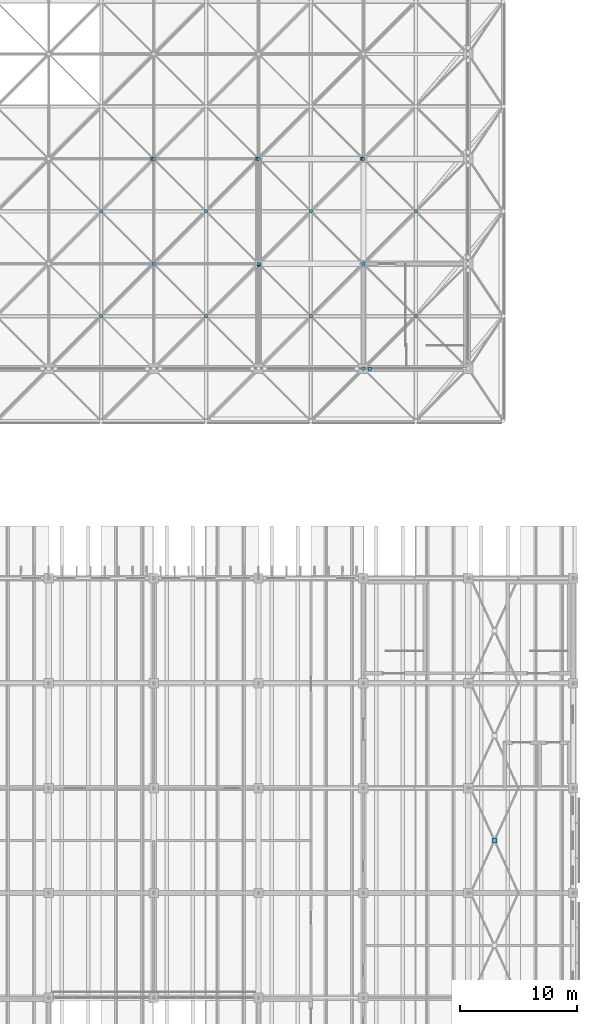
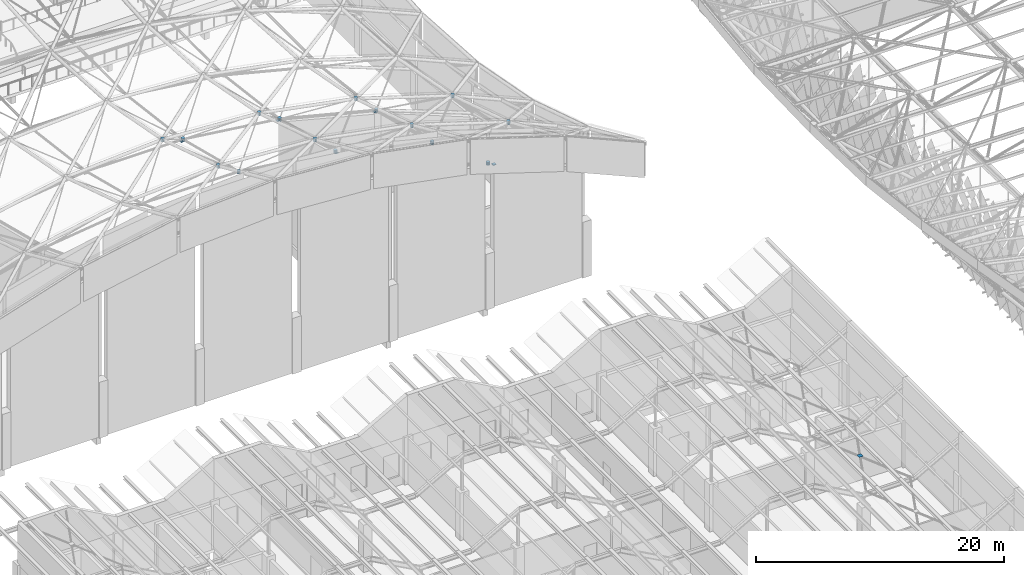
# One storey, part 355 of 437: 21 discrete accessories.
"""IFC4 building model written with IfcOpenShell, lengths in metres."""

from ifc_helpers import new_model, si_unit, direction, frame, origin, origin_2d, place, context, subcontext, project, spatial, polyline, rectangle, outline, extrude, material, layer, layer_set, type_object, element, save


model = new_model("IFC4")

# Units and contexts
model_context = context("Model", 3, precision=1e-05, world=origin(), true_north=direction((0.0, 1.0)))
body_context = subcontext(model_context, "Body", "Model", "MODEL_VIEW")
ifc_project = project(units=[si_unit("LENGTHUNIT", "METRE"), si_unit("AREAUNIT", "SQUARE_METRE"), si_unit("VOLUMEUNIT", "CUBIC_METRE"), si_unit("PLANEANGLEUNIT", "RADIAN"), si_unit("MASSUNIT", "GRAM", prefix="KILO")], contexts=[model_context])

# Site, building, storey
site_placement = place(None, origin())
site = spatial("IfcSite", under=ifc_project, at=site_placement, CompositionType="ELEMENT")
building_placement = place(site_placement, origin())
building = spatial("IfcBuilding", under=site, at=building_placement, Name="Opaline Strait Convention Centre", CompositionType="ELEMENT")
storey_placement = place(building_placement, frame((0.0, 0.0, 11.5)))
storey = spatial("IfcBuildingStorey", under=building, at=storey_placement, Name="L02", CompositionType="ELEMENT", Elevation=11.5)

# Discrete accessories
ifc_material_1 = material(Name="Steel Q355B", Category="steel")
ifc_layer_1 = layer(ifc_material_1, 0.02001953125)
ifc_layer_set_1 = layer_set([ifc_layer_1], Name="Steel Q355B")
discrete_accessory_type_1 = type_object("IfcDiscreteAccessoryType", Name="Cast-in anchor plate 300 x 300 x 20", PredefinedType="ANCHORPLATE", material=ifc_layer_set_1)
for number, where, z_axis, x_axis, name in (
    (1, (44.893798828125, 135.0, 11.682861328125), (0.0, 0.0, 1.0), (1.0, 0.0, 0.0), "Cast-in anchor plate at PWB3 web 5-3ac"),
    (2, (54.0, 125.893798828125, 12.907470703125), (0.0, 0.0, 1.0), (1.0, 0.0, 0.0), "Cast-in anchor plate at PWB3 web 6-2ac"),
    (3, (53.893798828125, 135.0, 10.572509765625), (0.0, 0.0, 1.0), (1.0, 0.0, 0.0), "Cast-in anchor plate at PWB3 web 6-3ac"),
    (4, (63.5498046875, 117.0, 13.816162109375), (0.0, 0.0, 1.0), (1.0, 0.0, 0.0), "Cast-in anchor plate at PWB2 web 7-1bc"),
    (5, (62.893798828125, 135.0, 8.3193359375), (0.0, 0.0, 1.0), (1.0, 0.0, 0.0), "Cast-in anchor plate at PWB2 web 7-3ac"),
):
    element("IfcDiscreteAccessory", number, at=place(storey_placement, frame(where, z_axis=z_axis, x_axis=x_axis)), inside=storey, type_object=discrete_accessory_type_1, Name=name, PredefinedType="ANCHORPLATE", context=body_context, shape_type="SweptSolid", body=[
        extrude(rectangle(XDim=0.300048828125, YDim=0.300048828125, at=origin_2d()), origin(), (0.0, 0.0, 1.0), 0.02001953125),
    ])
ifc_material_2 = material(Name="Cast steel ZG300-500H (300 MPa)", Category="steel")
discrete_accessory_type_2 = type_object("IfcDiscreteAccessoryType", Name="Shell node hub D300 cast steel", PredefinedType="USERDEFINED", material=ifc_material_2)
discrete_accessory_1_placement = place(storey_placement, frame((0.0, 0.0, 13.968505859375)))
element("IfcDiscreteAccessory", 6, at=discrete_accessory_1_placement, inside=storey, type_object=discrete_accessory_type_2, Name="PNH1 node hub B5-2", ObjectType="NODE HUB", PredefinedType="USERDEFINED", context=body_context, shape_type="SweptSolid", body=[
    extrude(outline(polyline([(45.14990234375, 126.02978515625), (45.127197265625, 126.0849609375), (45.0849609375, 126.127197265625), (45.02978515625, 126.14990234375), (44.97021484375, 126.14990234375), (44.9150390625, 126.127197265625), (44.872802734375, 126.0849609375), (44.85009765625, 126.02978515625), (44.85009765625, 125.97021484375), (44.872802734375, 125.9150390625), (44.9150390625, 125.872802734375), (44.97021484375, 125.85009765625), (45.02978515625, 125.85009765625), (45.0849609375, 125.872802734375), (45.127197265625, 125.9150390625), (45.14990234375, 125.97021484375), (45.14990234375, 126.02978515625)])), origin(), (0.0, 0.0, 1.0), 0.31005859375),
])
discrete_accessory_2_placement = place(storey_placement, frame((0.0, 0.0, 11.682861328125)))
element("IfcDiscreteAccessory", 7, at=discrete_accessory_2_placement, inside=storey, type_object=discrete_accessory_type_2, Name="PNH1 node hub B5-3", ObjectType="NODE HUB", PredefinedType="USERDEFINED", context=body_context, shape_type="SweptSolid", body=[
    extrude(outline(polyline([(45.14990234375, 135.02978515625), (45.127197265625, 135.0849609375), (45.0849609375, 135.127197265625), (45.02978515625, 135.14990234375), (44.97021484375, 135.14990234375), (44.9150390625, 135.127197265625), (44.872802734375, 135.0849609375), (44.85009765625, 135.02978515625), (44.85009765625, 134.97021484375), (44.872802734375, 134.9150390625), (44.9150390625, 134.872802734375), (44.97021484375, 134.85009765625), (45.02978515625, 134.85009765625), (45.0849609375, 134.872802734375), (45.127197265625, 134.9150390625), (45.14990234375, 134.97021484375), (45.14990234375, 135.02978515625)])), origin(), (0.0, 0.0, 1.0), 0.31005859375),
])
discrete_accessory_3_placement = place(storey_placement, frame((0.0, 0.0, 12.82568359375)))
element("IfcDiscreteAccessory", 8, at=discrete_accessory_3_placement, inside=storey, type_object=discrete_accessory_type_2, Name="PNH1 node hub B6-2", ObjectType="NODE HUB", PredefinedType="USERDEFINED", context=body_context, shape_type="SweptSolid", body=[
    extrude(outline(polyline([(54.14990234375, 126.02978515625), (54.127197265625, 126.0849609375), (54.0849609375, 126.127197265625), (54.02978515625, 126.14990234375), (53.97021484375, 126.14990234375), (53.9150390625, 126.127197265625), (53.872802734375, 126.0849609375), (53.85009765625, 126.02978515625), (53.85009765625, 125.97021484375), (53.872802734375, 125.9150390625), (53.9150390625, 125.872802734375), (53.97021484375, 125.85009765625), (54.02978515625, 125.85009765625), (54.0849609375, 125.872802734375), (54.127197265625, 125.9150390625), (54.14990234375, 125.97021484375), (54.14990234375, 126.02978515625)])), origin(), (0.0, 0.0, 1.0), 0.31005859375),
])
discrete_accessory_4_placement = place(storey_placement, frame((0.0, 0.0, 10.5400390625)))
element("IfcDiscreteAccessory", 9, at=discrete_accessory_4_placement, inside=storey, type_object=discrete_accessory_type_2, Name="PNH1 node hub B6-3", ObjectType="NODE HUB", PredefinedType="USERDEFINED", context=body_context, shape_type="SweptSolid", body=[
    extrude(outline(polyline([(54.14990234375, 135.02978515625), (54.127197265625, 135.0849609375), (54.0849609375, 135.127197265625), (54.02978515625, 135.14990234375), (53.97021484375, 135.14990234375), (53.9150390625, 135.127197265625), (53.872802734375, 135.0849609375), (53.85009765625, 135.02978515625), (53.85009765625, 134.97021484375), (53.872802734375, 134.9150390625), (53.9150390625, 134.872802734375), (53.97021484375, 134.85009765625), (54.02978515625, 134.85009765625), (54.0849609375, 134.872802734375), (54.127197265625, 134.9150390625), (54.14990234375, 134.97021484375), (54.14990234375, 135.02978515625)])), origin(), (0.0, 0.0, 1.0), 0.31005859375),
])
discrete_accessory_5_placement = place(storey_placement, frame((0.0, 0.0, 13.968505859375)))
element("IfcDiscreteAccessory", 10, at=discrete_accessory_5_placement, inside=storey, type_object=discrete_accessory_type_2, Name="PNH1 node hub B7-1", ObjectType="NODE HUB", PredefinedType="USERDEFINED", context=body_context, shape_type="SweptSolid", body=[
    extrude(outline(polyline([(63.14990234375, 117.02978515625), (63.127197265625, 117.0849609375), (63.0849609375, 117.127197265625), (63.02978515625, 117.14990234375), (62.97021484375, 117.14990234375), (62.9150390625, 117.127197265625), (62.872802734375, 117.0849609375), (62.85009765625, 117.02978515625), (62.85009765625, 116.97021484375), (62.872802734375, 116.9150390625), (62.9150390625, 116.872802734375), (62.97021484375, 116.85009765625), (63.02978515625, 116.85009765625), (63.0849609375, 116.872802734375), (63.127197265625, 116.9150390625), (63.14990234375, 116.97021484375), (63.14990234375, 117.02978515625)])), origin(), (0.0, 0.0, 1.0), 0.31005859375),
])
discrete_accessory_6_placement = place(storey_placement, frame((0.0, 0.0, 10.5400390625)))
element("IfcDiscreteAccessory", 11, at=discrete_accessory_6_placement, inside=storey, type_object=discrete_accessory_type_2, Name="PNH1 node hub B7-2", ObjectType="NODE HUB", PredefinedType="USERDEFINED", context=body_context, shape_type="SweptSolid", body=[
    extrude(outline(polyline([(63.14990234375, 126.02978515625), (63.127197265625, 126.0849609375), (63.0849609375, 126.127197265625), (63.02978515625, 126.14990234375), (62.97021484375, 126.14990234375), (62.9150390625, 126.127197265625), (62.872802734375, 126.0849609375), (62.85009765625, 126.02978515625), (62.85009765625, 125.97021484375), (62.872802734375, 125.9150390625), (62.9150390625, 125.872802734375), (62.97021484375, 125.85009765625), (63.02978515625, 125.85009765625), (63.0849609375, 125.872802734375), (63.127197265625, 125.9150390625), (63.14990234375, 125.97021484375), (63.14990234375, 126.02978515625)])), origin(), (0.0, 0.0, 1.0), 0.31005859375),
])
discrete_accessory_7_placement = place(storey_placement, frame((0.0, 0.0, 8.25439453125)))
element("IfcDiscreteAccessory", 12, at=discrete_accessory_7_placement, inside=storey, type_object=discrete_accessory_type_2, Name="PNH1 node hub B7-3", ObjectType="NODE HUB", PredefinedType="USERDEFINED", context=body_context, shape_type="SweptSolid", body=[
    extrude(outline(polyline([(63.14990234375, 135.02978515625), (63.127197265625, 135.0849609375), (63.0849609375, 135.127197265625), (63.02978515625, 135.14990234375), (62.97021484375, 135.14990234375), (62.9150390625, 135.127197265625), (62.872802734375, 135.0849609375), (62.85009765625, 135.02978515625), (62.85009765625, 134.97021484375), (62.872802734375, 134.9150390625), (62.9150390625, 134.872802734375), (62.97021484375, 134.85009765625), (63.02978515625, 134.85009765625), (63.0849609375, 134.872802734375), (63.127197265625, 134.9150390625), (63.14990234375, 134.97021484375), (63.14990234375, 135.02978515625)])), origin(), (0.0, 0.0, 1.0), 0.309814453125),
])
discrete_accessory_8_placement = place(storey_placement, frame((0.0, 0.0, 18.8330078125)))
element("IfcDiscreteAccessory", 13, at=discrete_accessory_8_placement, inside=storey, type_object=discrete_accessory_type_2, Name="PNH1 node hub T5-2", ObjectType="NODE HUB", PredefinedType="USERDEFINED", context=body_context, shape_type="SweptSolid", body=[
    extrude(outline(polyline([(40.64990234375, 121.52978515625), (40.627197265625, 121.5849609375), (40.5849609375, 121.627197265625), (40.52978515625, 121.64990234375), (40.47021484375, 121.64990234375), (40.4150390625, 121.627197265625), (40.372802734375, 121.5849609375), (40.35009765625, 121.52978515625), (40.35009765625, 121.47021484375), (40.372802734375, 121.4150390625), (40.4150390625, 121.372802734375), (40.47021484375, 121.35009765625), (40.52978515625, 121.35009765625), (40.5849609375, 121.372802734375), (40.627197265625, 121.4150390625), (40.64990234375, 121.47021484375), (40.64990234375, 121.52978515625)])), origin(), (0.0, 0.0, 1.0), 0.309814453125),
])
discrete_accessory_9_placement = place(storey_placement, frame((0.0, 0.0, 15.9755859375)))
element("IfcDiscreteAccessory", 14, at=discrete_accessory_9_placement, inside=storey, type_object=discrete_accessory_type_2, Name="PNH1 node hub T5-3", ObjectType="NODE HUB", PredefinedType="USERDEFINED", context=body_context, shape_type="SweptSolid", body=[
    extrude(outline(polyline([(40.64990234375, 130.52978515625), (40.627197265625, 130.5849609375), (40.5849609375, 130.627197265625), (40.52978515625, 130.64990234375), (40.47021484375, 130.64990234375), (40.4150390625, 130.627197265625), (40.372802734375, 130.5849609375), (40.35009765625, 130.52978515625), (40.35009765625, 130.47021484375), (40.372802734375, 130.4150390625), (40.4150390625, 130.372802734375), (40.47021484375, 130.35009765625), (40.52978515625, 130.35009765625), (40.5849609375, 130.372802734375), (40.627197265625, 130.4150390625), (40.64990234375, 130.47021484375), (40.64990234375, 130.52978515625)])), origin(), (0.0, 0.0, 1.0), 0.31005859375),
])
discrete_accessory_10_placement = place(storey_placement, frame((0.0, 0.0, 18.261474609375)))
element("IfcDiscreteAccessory", 15, at=discrete_accessory_10_placement, inside=storey, type_object=discrete_accessory_type_2, Name="PNH1 node hub T6-2", ObjectType="NODE HUB", PredefinedType="USERDEFINED", context=body_context, shape_type="SweptSolid", body=[
    extrude(outline(polyline([(49.64990234375, 121.52978515625), (49.627197265625, 121.5849609375), (49.5849609375, 121.627197265625), (49.52978515625, 121.64990234375), (49.47021484375, 121.64990234375), (49.4150390625, 121.627197265625), (49.372802734375, 121.5849609375), (49.35009765625, 121.52978515625), (49.35009765625, 121.47021484375), (49.372802734375, 121.4150390625), (49.4150390625, 121.372802734375), (49.47021484375, 121.35009765625), (49.52978515625, 121.35009765625), (49.5849609375, 121.372802734375), (49.627197265625, 121.4150390625), (49.64990234375, 121.47021484375), (49.64990234375, 121.52978515625)])), origin(), (0.0, 0.0, 1.0), 0.309814453125),
])
discrete_accessory_11_placement = place(storey_placement, frame((0.0, 0.0, 15.404296875)))
element("IfcDiscreteAccessory", 16, at=discrete_accessory_11_placement, inside=storey, type_object=discrete_accessory_type_2, Name="PNH1 node hub T6-3", ObjectType="NODE HUB", PredefinedType="USERDEFINED", context=body_context, shape_type="SweptSolid", body=[
    extrude(outline(polyline([(49.64990234375, 130.52978515625), (49.627197265625, 130.5849609375), (49.5849609375, 130.627197265625), (49.52978515625, 130.64990234375), (49.47021484375, 130.64990234375), (49.4150390625, 130.627197265625), (49.372802734375, 130.5849609375), (49.35009765625, 130.52978515625), (49.35009765625, 130.47021484375), (49.372802734375, 130.4150390625), (49.4150390625, 130.372802734375), (49.47021484375, 130.35009765625), (49.52978515625, 130.35009765625), (49.5849609375, 130.372802734375), (49.627197265625, 130.4150390625), (49.64990234375, 130.47021484375), (49.64990234375, 130.52978515625)])), origin(), (0.0, 0.0, 1.0), 0.31005859375),
])
discrete_accessory_12_placement = place(storey_placement, frame((0.0, 0.0, 16.547119140625)))
element("IfcDiscreteAccessory", 17, at=discrete_accessory_12_placement, inside=storey, type_object=discrete_accessory_type_2, Name="PNH1 node hub T7-2", ObjectType="NODE HUB", PredefinedType="USERDEFINED", context=body_context, shape_type="SweptSolid", body=[
    extrude(outline(polyline([(58.64990234375, 121.52978515625), (58.627197265625, 121.5849609375), (58.5849609375, 121.627197265625), (58.52978515625, 121.64990234375), (58.47021484375, 121.64990234375), (58.4150390625, 121.627197265625), (58.372802734375, 121.5849609375), (58.35009765625, 121.52978515625), (58.35009765625, 121.47021484375), (58.372802734375, 121.4150390625), (58.4150390625, 121.372802734375), (58.47021484375, 121.35009765625), (58.52978515625, 121.35009765625), (58.5849609375, 121.372802734375), (58.627197265625, 121.4150390625), (58.64990234375, 121.47021484375), (58.64990234375, 121.52978515625)])), origin(), (0.0, 0.0, 1.0), 0.31005859375),
])
discrete_accessory_13_placement = place(storey_placement, frame((0.0, 0.0, 13.68994140625)))
element("IfcDiscreteAccessory", 18, at=discrete_accessory_13_placement, inside=storey, type_object=discrete_accessory_type_2, Name="PNH1 node hub T7-3", ObjectType="NODE HUB", PredefinedType="USERDEFINED", context=body_context, shape_type="SweptSolid", body=[
    extrude(outline(polyline([(58.64990234375, 130.52978515625), (58.627197265625, 130.5849609375), (58.5849609375, 130.627197265625), (58.52978515625, 130.64990234375), (58.47021484375, 130.64990234375), (58.4150390625, 130.627197265625), (58.372802734375, 130.5849609375), (58.35009765625, 130.52978515625), (58.35009765625, 130.47021484375), (58.372802734375, 130.4150390625), (58.4150390625, 130.372802734375), (58.47021484375, 130.35009765625), (58.52978515625, 130.35009765625), (58.5849609375, 130.372802734375), (58.627197265625, 130.4150390625), (58.64990234375, 130.47021484375), (58.64990234375, 130.52978515625)])), origin(), (0.0, 0.0, 1.0), 0.31005859375),
])
discrete_accessory_14_placement = place(storey_placement, frame((0.0, 0.0, 13.68994140625)))
element("IfcDiscreteAccessory", 19, at=discrete_accessory_14_placement, inside=storey, type_object=discrete_accessory_type_2, Name="PNH1 node hub T8-2", ObjectType="NODE HUB", PredefinedType="USERDEFINED", context=body_context, shape_type="SweptSolid", body=[
    extrude(outline(polyline([(67.64990234375, 121.52978515625), (67.627197265625, 121.5849609375), (67.5849609375, 121.627197265625), (67.52978515625, 121.64990234375), (67.47021484375, 121.64990234375), (67.4150390625, 121.627197265625), (67.372802734375, 121.5849609375), (67.35009765625, 121.52978515625), (67.35009765625, 121.47021484375), (67.372802734375, 121.4150390625), (67.4150390625, 121.372802734375), (67.47021484375, 121.35009765625), (67.52978515625, 121.35009765625), (67.5849609375, 121.372802734375), (67.627197265625, 121.4150390625), (67.64990234375, 121.47021484375), (67.64990234375, 121.52978515625)])), origin(), (0.0, 0.0, 1.0), 0.31005859375),
])
discrete_accessory_15_placement = place(storey_placement, frame((0.0, 0.0, 10.8330078125)))
element("IfcDiscreteAccessory", 20, at=discrete_accessory_15_placement, inside=storey, type_object=discrete_accessory_type_2, Name="PNH1 node hub T8-3", ObjectType="NODE HUB", PredefinedType="USERDEFINED", context=body_context, shape_type="SweptSolid", body=[
    extrude(outline(polyline([(67.64990234375, 130.52978515625), (67.627197265625, 130.5849609375), (67.5849609375, 130.627197265625), (67.52978515625, 130.64990234375), (67.47021484375, 130.64990234375), (67.4150390625, 130.627197265625), (67.372802734375, 130.5849609375), (67.35009765625, 130.52978515625), (67.35009765625, 130.47021484375), (67.372802734375, 130.4150390625), (67.4150390625, 130.372802734375), (67.47021484375, 130.35009765625), (67.52978515625, 130.35009765625), (67.5849609375, 130.372802734375), (67.627197265625, 130.4150390625), (67.64990234375, 130.47021484375), (67.64990234375, 130.52978515625)])), origin(), (0.0, 0.0, 1.0), 0.309814453125),
])
ifc_layer_2 = layer(ifc_material_1, 0.014892578125)
ifc_layer_set_2 = layer_set([ifc_layer_2], Name="Steel Q355B")
discrete_accessory_type_3 = type_object("IfcDiscreteAccessoryType", Name="X-brace gusset plate 400 x 400 x 15", PredefinedType="ANCHORPLATE", material=ifc_layer_set_2)
discrete_accessory_16_placement = place(storey_placement, frame((74.25, 76.5, 5.93994140625), z_axis=(0.0, 0.0, 1.0), x_axis=(1.0, 0.0, 0.0)))
element("IfcDiscreteAccessory", 21, at=discrete_accessory_16_placement, inside=storey, type_object=discrete_accessory_type_3, Name="X-brace gusset plate bay 8 at 72", PredefinedType="ANCHORPLATE", context=body_context, shape_type="SweptSolid", body=[
    extrude(rectangle(XDim=0.39990234375, YDim=0.39990234375, at=origin_2d()), origin(), (0.0, 0.0, 1.0), 0.014892578125),
])

save(model, "model.ifc")
